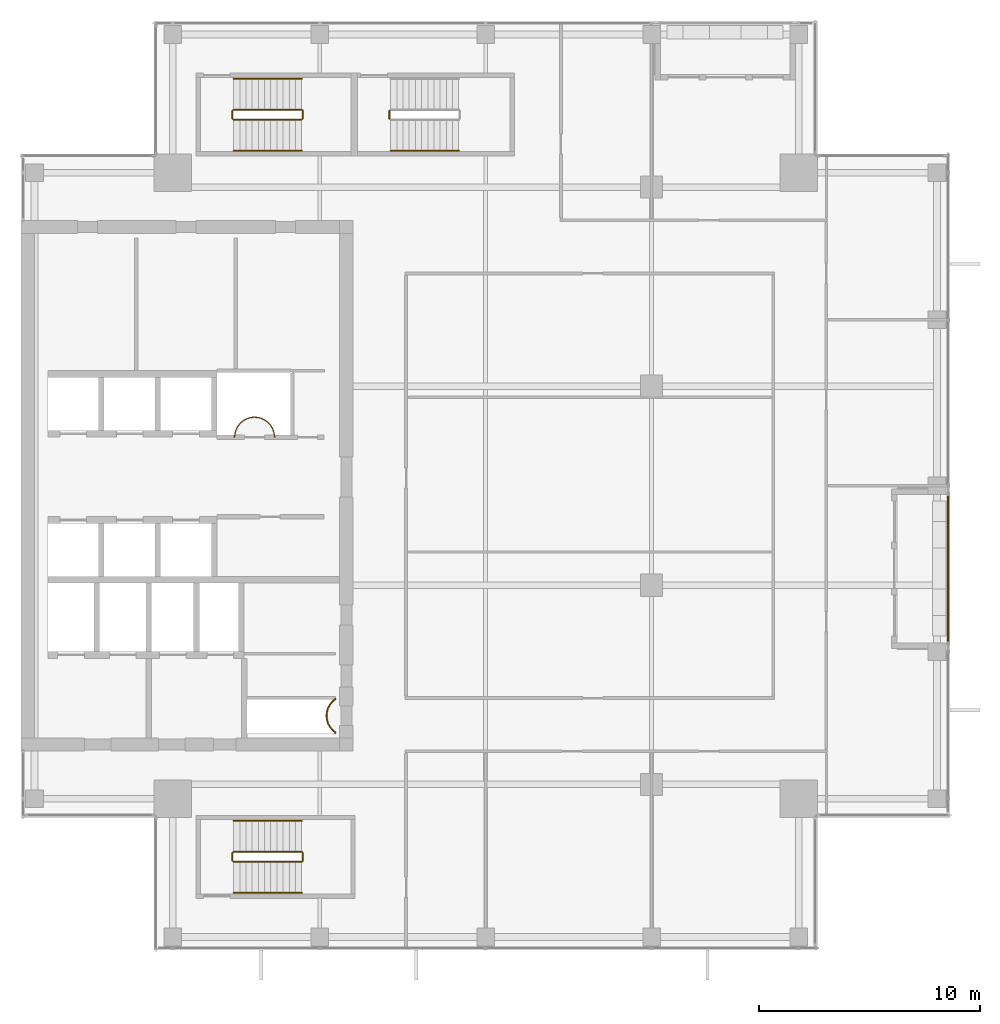
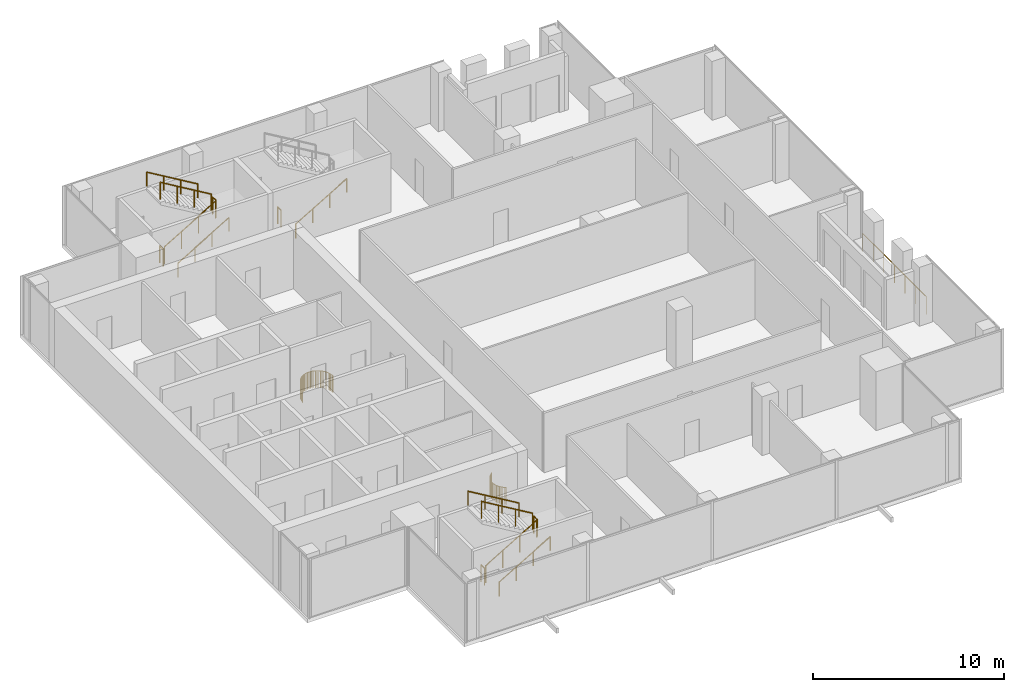
# One storey, part 27 of 29: 17 railings.
"""IFC4 building model written with IfcOpenShell, lengths in metres."""

from ifc_helpers import new_model, si_unit, direction, frame, origin, origin_2d, place, context, subcontext, project, spatial, circle, extrude, source, transform, mapped, material, type_object, element, save


model = new_model("IFC4")

# Units and contexts
model_context = context("Model", 3, precision=1e-05, world=origin(), true_north=direction((0.0, 1.0)))
body_context = subcontext(model_context, "Body", "Model", "MODEL_VIEW")
ifc_project = project(units=[si_unit("LENGTHUNIT", "METRE"), si_unit("AREAUNIT", "SQUARE_METRE"), si_unit("VOLUMEUNIT", "CUBIC_METRE"), si_unit("PLANEANGLEUNIT", "RADIAN"), si_unit("MASSUNIT", "GRAM", prefix="KILO")], contexts=[model_context])

# Site, building, storey
site_placement = place(None, origin())
site = spatial("IfcSite", under=ifc_project, at=site_placement, CompositionType="ELEMENT")
building_placement = place(site_placement, origin())
building = spatial("IfcBuilding", under=site, at=building_placement, Name="Khomas Fold Tower", CompositionType="ELEMENT")
storey_placement = place(building_placement, frame((0.0, 0.0, 290.199951171875)))
storey = spatial("IfcBuildingStorey", under=building, at=storey_placement, Name="L65", CompositionType="ELEMENT", Elevation=290.199951171875)

# Railings
ifc_material_1 = material(Name="Powder-coated steel", Category="steel")
railing_type_1 = type_object("IfcRailingType", Name="Balcony guard", PredefinedType="GUARDRAIL", material=ifc_material_1)
shared_shape_1 = source(origin(), body_context, "Body", "SweptSolid", [
    extrude(circle(Radius=0.02490234375, at=origin_2d()), frame((0.0, 0.0, 1.125), z_axis=(0.0, 1.0, 0.0), x_axis=(-1.0, 0.0, 0.0)), (0.0, 0.0, 1.0), 6.64013671875),
    extrude(circle(Radius=0.02001953125, at=origin_2d()), origin(), (0.0, 0.0, 1.0), 1.099853515625),
    extrude(circle(Radius=0.02001953125, at=origin_2d()), frame((0.0, 1.106689453125, 0.0)), (0.0, 0.0, 1.0), 1.099853515625),
    extrude(circle(Radius=0.02001953125, at=origin_2d()), frame((0.0, 2.21337890625, 0.0)), (0.0, 0.0, 1.0), 1.099853515625),
    extrude(circle(Radius=0.02001953125, at=origin_2d()), frame((0.0, 3.320068359375, 0.0)), (0.0, 0.0, 1.0), 1.099853515625),
    extrude(circle(Radius=0.02001953125, at=origin_2d()), frame((0.0, 4.4267578125, 0.0)), (0.0, 0.0, 1.0), 1.099853515625),
    extrude(circle(Radius=0.02001953125, at=origin_2d()), frame((0.0, 5.533447265625, 0.0)), (0.0, 0.0, 1.0), 1.099853515625),
    extrude(circle(Radius=0.02001953125, at=origin_2d()), frame((0.0, 6.64013671875, 0.0)), (0.0, 0.0, 1.0), 1.099853515625),
])
railing_1_placement = place(storey_placement, frame((47.89990234375, 19.929931640625, -0.044921875)))
element("IfcRailing", 1, at=railing_1_placement, inside=storey, type_object=railing_type_1, Name="Balcony guard BAL-L65-E2", PredefinedType="GUARDRAIL", context=body_context, shape_type="MappedRepresentation", body=[
    mapped(shared_shape_1, transform((0.0, 0.0, 0.0))),
])
ifc_material_2 = material(Name="Steel balustrade", Category="steel")
railing_type_2 = type_object("IfcRailingType", Name="Stair guard", PredefinedType="GUARDRAIL", material=ifc_material_2)
shared_shape_2 = source(origin(), body_context, "Body", "SweptSolid", [
    extrude(circle(Radius=0.02392578125, at=origin_2d()), frame((0.0, 0.0, 1.076171875), z_axis=(0.0, 1.0, 0.0), x_axis=(-1.0, 0.0, 0.0)), (0.0, 0.0, 1.0), 0.349853515625),
    extrude(circle(Radius=0.02099609375, at=origin_2d()), origin(), (0.0, 0.0, 1.0), 1.052001953125),
    extrude(circle(Radius=0.02099609375, at=origin_2d()), frame((0.0, 0.349853515625, 0.0)), (0.0, 0.0, 1.0), 1.052001953125),
])
for number, where, name in (
    (2, (18.72998046875, 43.60009765625, 2.0), "L65 ST1 stair guard 2"),
    (3, (15.550048828125, 43.60009765625, 0.0), "L65 ST1 stair guard 4"),
    (4, (18.72998046875, 10.050048828125, 2.0), "L65 ST2 stair guard 2"),
    (5, (15.550048828125, 10.050048828125, 0.0), "L65 ST2 stair guard 4"),
    (6, (22.64990234375, 43.60009765625, 0.0), "L65 ST3 stair guard 4"),
):
    element("IfcRailing", number, at=place(storey_placement, frame(where)), inside=storey, type_object=railing_type_2, Name=name, PredefinedType="GUARDRAIL", context=body_context, shape_type="MappedRepresentation", body=[
        mapped(shared_shape_2, transform((0.0, 0.0, 0.0))),
    ])
shared_shape_3 = source(origin(), body_context, "Body", "SweptSolid", [
    extrude(circle(Radius=0.02392578125, at=origin_2d()), frame((0.0, 0.0, 1.076171875), z_axis=(0.859290745958, 0.0, 0.51148745235), x_axis=(0.0, 1.0, 0.0)), (0.0, 0.0, 1.0), 3.584228515625),
    extrude(circle(Radius=0.02099609375, at=origin_2d()), origin(), (0.0, 0.0, 1.0), 1.052001953125),
    extrude(circle(Radius=0.02099609375, at=origin_2d()), frame((1.026611328125, 0.0, 0.611083984375)), (0.0, 0.0, 1.0), 1.052001953125),
    extrude(circle(Radius=0.02099609375, at=origin_2d()), frame((2.05322265625, 0.0, 1.22216796875)), (0.0, 0.0, 1.0), 1.052001953125),
    extrude(circle(Radius=0.02099609375, at=origin_2d()), frame((3.079833984375, 0.0, 1.833251953125)), (0.0, 0.0, 1.0), 1.052001953125),
])
for number, where, name in (
    (7, (15.60009765625, 43.550048828125, 0.166748046875), "L65 ST1 stair guard 1"),
    (8, (15.60009765625, 10.0, 0.166748046875), "L65 ST2 stair guard 1"),
):
    element("IfcRailing", number, at=place(storey_placement, frame(where)), inside=storey, type_object=railing_type_2, Name=name, PredefinedType="GUARDRAIL", context=body_context, shape_type="MappedRepresentation", body=[
        mapped(shared_shape_3, transform((0.0, 0.0, 0.0))),
    ])
shared_shape_4 = source(origin(), body_context, "Body", "SweptSolid", [
    extrude(circle(Radius=0.02392578125, at=origin_2d()), frame((0.0, 0.0, 1.076171875), z_axis=(-0.859290745958, 0.0, 0.51148745235), x_axis=(0.0, -1.0, 0.0)), (0.0, 0.0, 1.0), 3.584228515625),
    extrude(circle(Radius=0.02099609375, at=origin_2d()), origin(), (0.0, 0.0, 1.0), 1.052001953125),
    extrude(circle(Radius=0.02099609375, at=origin_2d()), frame((-1.026611328125, 0.0, 0.611083984375)), (0.0, 0.0, 1.0), 1.052001953125),
    extrude(circle(Radius=0.02099609375, at=origin_2d()), frame((-2.05322265625, 0.0, 1.22216796875)), (0.0, 0.0, 1.0), 1.052001953125),
    extrude(circle(Radius=0.02099609375, at=origin_2d()), frame((-3.079833984375, 0.0, 1.833251953125)), (0.0, 0.0, 1.0), 1.052001953125),
])
for number, where, name in (
    (9, (18.679931640625, 44.0, 2.166748046875), "L65 ST1 stair guard 3"),
    (10, (18.679931640625, 10.449951171875, 2.166748046875), "L65 ST2 stair guard 3"),
):
    element("IfcRailing", number, at=place(storey_placement, frame(where)), inside=storey, type_object=railing_type_2, Name=name, PredefinedType="GUARDRAIL", context=body_context, shape_type="MappedRepresentation", body=[
        mapped(shared_shape_4, transform((0.0, 0.0, 0.0))),
    ])
ifc_material_3 = material(Name="Steel handrail", Category="steel")
railing_type_3 = type_object("IfcRailingType", Name="Stair handrail", PredefinedType="HANDRAIL", material=ifc_material_3)
shared_shape_5 = source(origin(), body_context, "Body", "SweptSolid", [
    extrude(circle(Radius=0.02392578125, at=origin_2d()), frame((0.0, 0.0, 0.8759765625), z_axis=(0.859290745958, 0.0, 0.51148745235), x_axis=(0.0, 1.0, 0.0)), (0.0, 0.0, 1.0), 3.584228515625),
    extrude(circle(Radius=0.02099609375, at=origin_2d()), origin(), (0.0, 0.0, 1.0), 0.851806640625),
    extrude(circle(Radius=0.02099609375, at=origin_2d()), frame((1.026611328125, 0.0, 0.611083984375)), (0.0, 0.0, 1.0), 0.851806640625),
    extrude(circle(Radius=0.02099609375, at=origin_2d()), frame((2.05322265625, 0.0, 1.22216796875)), (0.0, 0.0, 1.0), 0.851806640625),
    extrude(circle(Radius=0.02099609375, at=origin_2d()), frame((3.079833984375, 0.0, 1.833251953125)), (0.0, 0.0, 1.0), 0.851806640625),
])
for number, where, name in (
    (11, (15.60009765625, 42.14990234375, 0.166748046875), "L65 ST1 stair handrail 1"),
    (12, (15.60009765625, 8.60009765625, 0.166748046875), "L65 ST2 stair handrail 1"),
):
    element("IfcRailing", number, at=place(storey_placement, frame(where)), inside=storey, type_object=railing_type_3, Name=name, PredefinedType="HANDRAIL", context=body_context, shape_type="MappedRepresentation", body=[
        mapped(shared_shape_5, transform((0.0, 0.0, 0.0))),
    ])
shared_shape_6 = source(origin(), body_context, "Body", "SweptSolid", [
    extrude(circle(Radius=0.02392578125, at=origin_2d()), frame((0.0, 0.0, 0.8759765625), z_axis=(-0.859290745958, 0.0, 0.51148745235), x_axis=(0.0, -1.0, 0.0)), (0.0, 0.0, 1.0), 3.584228515625),
    extrude(circle(Radius=0.02099609375, at=origin_2d()), origin(), (0.0, 0.0, 1.0), 0.851806640625),
    extrude(circle(Radius=0.02099609375, at=origin_2d()), frame((-1.026611328125, 0.0, 0.611083984375)), (0.0, 0.0, 1.0), 0.851806640625),
    extrude(circle(Radius=0.02099609375, at=origin_2d()), frame((-2.05322265625, 0.0, 1.22216796875)), (0.0, 0.0, 1.0), 0.851806640625),
    extrude(circle(Radius=0.02099609375, at=origin_2d()), frame((-3.079833984375, 0.0, 1.833251953125)), (0.0, 0.0, 1.0), 0.851806640625),
])
for number, where, name in (
    (13, (18.679931640625, 45.39990234375, 2.166748046875), "L65 ST1 stair handrail 2"),
    (14, (18.679931640625, 11.85009765625, 2.166748046875), "L65 ST2 stair handrail 2"),
):
    element("IfcRailing", number, at=place(storey_placement, frame(where)), inside=storey, type_object=railing_type_3, Name=name, PredefinedType="HANDRAIL", context=body_context, shape_type="MappedRepresentation", body=[
        mapped(shared_shape_6, transform((0.0, 0.0, 0.0))),
    ])
shared_shape_7 = source(origin(), body_context, "Body", "SweptSolid", [
    extrude(circle(Radius=0.02392578125, at=origin_2d()), frame((0.0, 0.0, 0.8759765625), z_axis=(0.859308565015, 0.0, 0.511457515432), x_axis=(0.0, 1.0, 0.0)), (0.0, 0.0, 1.0), 3.58447265625),
    extrude(circle(Radius=0.02099609375, at=origin_2d()), origin(), (0.0, 0.0, 1.0), 0.851806640625),
    extrude(circle(Radius=0.02099609375, at=origin_2d()), frame((1.026611328125, 0.0, 0.611083984375)), (0.0, 0.0, 1.0), 0.851806640625),
    extrude(circle(Radius=0.02099609375, at=origin_2d()), frame((2.053466796875, 0.0, 1.22216796875)), (0.0, 0.0, 1.0), 0.851806640625),
    extrude(circle(Radius=0.02099609375, at=origin_2d()), frame((3.080078125, 0.0, 1.833251953125)), (0.0, 0.0, 1.0), 0.851806640625),
])
railing_2_placement = place(storey_placement, frame((22.699951171875, 42.14990234375, 0.166748046875)))
element("IfcRailing", 15, at=railing_2_placement, inside=storey, type_object=railing_type_3, Name="L65 ST3 stair handrail 1", PredefinedType="HANDRAIL", context=body_context, shape_type="MappedRepresentation", body=[
    mapped(shared_shape_7, transform((0.0, 0.0, 0.0))),
])
ifc_material_4 = material(Name="Steel balustrade", Category="steel")
railing_type_4 = type_object("IfcRailingType", Name="Shaft guard", PredefinedType="GUARDRAIL", material=ifc_material_4)
shared_shape_8 = source(origin(), body_context, "Body", "SweptSolid", [
    extrude(circle(Radius=0.02490234375, at=origin_2d()), frame((0.0, 0.0, 1.0751953125), z_axis=(0.0, -1.0, 0.0), x_axis=(1.0, 0.0, 0.0)), (0.0, 0.0, 1.0), 0.034912109375),
    extrude(circle(Radius=0.02490234375, at=origin_2d()), frame((0.0, -0.034912109375, 1.0751953125), z_axis=(-0.802970227885, -0.596019138224, 0.0), x_axis=(0.596019138224, -0.802970227885, 0.0)), (0.0, 0.0, 1.0), 0.08837890625),
    extrude(circle(Radius=0.02490234375, at=origin_2d()), frame((-0.071044921875, -0.087646484375, 1.0751953125), z_axis=(-0.739563952942, -0.673086294251, 0.0), x_axis=(0.673086294251, -0.739563952942, 0.0)), (0.0, 0.0, 1.0), 0.088134765625),
    extrude(circle(Radius=0.02490234375, at=origin_2d()), frame((-0.13623046875, -0.14697265625, 1.0751953125), z_axis=(-0.671709119666, -0.740814996175, 0.0), x_axis=(0.740814996175, -0.671709119666, 0.0)), (0.0, 0.0, 1.0), 0.08837890625),
    extrude(circle(Radius=0.02490234375, at=origin_2d()), frame((-0.195556640625, -0.21240234375, 1.0751953125), z_axis=(-0.597341843489, -0.801986734315, 0.0), x_axis=(0.801986734315, -0.597341843489, 0.0)), (0.0, 0.0, 1.0), 0.08837890625),
    extrude(circle(Radius=0.02490234375, at=origin_2d()), frame((-0.248291015625, -0.283203125, 1.0751953125), z_axis=(-0.514495755428, -0.857492925713, 0.0), x_axis=(0.857492925713, -0.514495755428, 0.0)), (0.0, 0.0, 1.0), 0.08837890625),
    extrude(circle(Radius=0.02490234375, at=origin_2d()), frame((-0.293701171875, -0.35888671875, 1.0751953125), z_axis=(-0.427256721383, -0.904130352346, 0.0), x_axis=(0.904130352346, -0.427256721383, 0.0)), (0.0, 0.0, 1.0), 0.088623046875),
    extrude(circle(Radius=0.02490234375, at=origin_2d()), frame((-0.33154296875, -0.43896484375, 1.0751953125), z_axis=(-0.335282981086, -0.942117467514, 0.0), x_axis=(0.942117467514, -0.335282981086, 0.0)), (0.0, 0.0, 1.0), 0.088134765625),
    extrude(circle(Radius=0.02490234375, at=origin_2d()), frame((-0.361083984375, -0.52197265625, 1.0751953125), z_axis=(-0.243185799972, -0.969979724887, 0.0), x_axis=(0.969979724887, -0.243185799972, 0.0)), (0.0, 0.0, 1.0), 0.08837890625),
    extrude(circle(Radius=0.02490234375, at=origin_2d()), frame((-0.382568359375, -0.607666015625, 1.0751953125), z_axis=(-0.149150785005, -0.988814463553, 0.0), x_axis=(0.988814463553, -0.149150785005, 0.0)), (0.0, 0.0, 1.0), 0.08837890625),
    extrude(circle(Radius=0.02490234375, at=origin_2d()), frame((-0.395751953125, -0.695068359375, 1.0751953125), z_axis=(-0.047039284441, -0.99889304018, 0.0), x_axis=(0.99889304018, -0.047039284441, 0.0)), (0.0, 0.0, 1.0), 0.088134765625),
    extrude(circle(Radius=0.02490234375, at=origin_2d()), frame((-0.39990234375, -0.783203125, 1.0751953125), z_axis=(0.046909628002, -0.998899137451, 0.0), x_axis=(0.998899137451, 0.046909628002, 0.0)), (0.0, 0.0, 1.0), 0.08837890625),
    extrude(circle(Radius=0.02490234375, at=origin_2d()), frame((-0.395751953125, -0.87158203125, 1.0751953125), z_axis=(0.149150785005, -0.988814463553, 0.0), x_axis=(0.988814463553, 0.149150785005, 0.0)), (0.0, 0.0, 1.0), 0.08837890625),
    extrude(circle(Radius=0.02490234375, at=origin_2d()), frame((-0.382568359375, -0.958984375, 1.0751953125), z_axis=(0.243185799972, -0.969979724887, 0.0), x_axis=(0.969979724887, 0.243185799972, 0.0)), (0.0, 0.0, 1.0), 0.08837890625),
    extrude(circle(Radius=0.02490234375, at=origin_2d()), frame((-0.361083984375, -1.044677734375, 1.0751953125), z_axis=(0.335282981086, -0.942117467514, 0.0), x_axis=(0.942117467514, 0.335282981086, 0.0)), (0.0, 0.0, 1.0), 0.088134765625),
    extrude(circle(Radius=0.02490234375, at=origin_2d()), frame((-0.33154296875, -1.127685546875, 1.0751953125), z_axis=(0.428323905606, -0.903625271828, 0.0), x_axis=(0.903625271828, 0.428323905606, 0.0)), (0.0, 0.0, 1.0), 0.08837890625),
    extrude(circle(Radius=0.02490234375, at=origin_2d()), frame((-0.293701171875, -1.20751953125, 1.0751953125), z_axis=(0.514495755428, -0.857492925713, 0.0), x_axis=(0.857492925713, 0.514495755428, 0.0)), (0.0, 0.0, 1.0), 0.08837890625),
    extrude(circle(Radius=0.02490234375, at=origin_2d()), frame((-0.248291015625, -1.283203125, 1.0751953125), z_axis=(0.596019138224, -0.802970227885, 0.0), x_axis=(0.802970227885, 0.596019138224, 0.0)), (0.0, 0.0, 1.0), 0.08837890625),
    extrude(circle(Radius=0.02490234375, at=origin_2d()), frame((-0.195556640625, -1.354248046875, 1.0751953125), z_axis=(0.671709119666, -0.740814996175, 0.0), x_axis=(0.740814996175, 0.671709119666, 0.0)), (0.0, 0.0, 1.0), 0.08837890625),
    extrude(circle(Radius=0.02490234375, at=origin_2d()), frame((-0.13623046875, -1.419677734375, 1.0751953125), z_axis=(0.739563952942, -0.673086294251, 0.0), x_axis=(0.673086294251, 0.739563952942, 0.0)), (0.0, 0.0, 1.0), 0.088134765625),
    extrude(circle(Radius=0.02490234375, at=origin_2d()), frame((-0.071044921875, -1.47900390625, 1.0751953125), z_axis=(0.804291006819, -0.594235623595, 0.0), x_axis=(0.594235623595, 0.804291006819, 0.0)), (0.0, 0.0, 1.0), 0.08837890625),
    extrude(circle(Radius=0.02490234375, at=origin_2d()), frame((0.0, -1.531494140625, 1.0751953125), z_axis=(0.0, -1.0, 0.0), x_axis=(1.0, 0.0, 0.0)), (0.0, 0.0, 1.0), 0.03515625),
    extrude(circle(Radius=0.02001953125, at=origin_2d()), origin(), (0.0, 0.0, 1.0), 1.050048828125),
    extrude(circle(Radius=0.02001953125, at=origin_2d()), frame((0.0, -0.034912109375, 0.0)), (0.0, 0.0, 1.0), 1.050048828125),
    extrude(circle(Radius=0.02001953125, at=origin_2d()), frame((-0.071044921875, -0.087646484375, 0.0)), (0.0, 0.0, 1.0), 1.050048828125),
    extrude(circle(Radius=0.02001953125, at=origin_2d()), frame((-0.13623046875, -0.14697265625, 0.0)), (0.0, 0.0, 1.0), 1.050048828125),
    extrude(circle(Radius=0.02001953125, at=origin_2d()), frame((-0.195556640625, -0.21240234375, 0.0)), (0.0, 0.0, 1.0), 1.050048828125),
    extrude(circle(Radius=0.02001953125, at=origin_2d()), frame((-0.248291015625, -0.283203125, 0.0)), (0.0, 0.0, 1.0), 1.050048828125),
    extrude(circle(Radius=0.02001953125, at=origin_2d()), frame((-0.293701171875, -0.35888671875, 0.0)), (0.0, 0.0, 1.0), 1.050048828125),
    extrude(circle(Radius=0.02001953125, at=origin_2d()), frame((-0.33154296875, -0.43896484375, 0.0)), (0.0, 0.0, 1.0), 1.050048828125),
    extrude(circle(Radius=0.02001953125, at=origin_2d()), frame((-0.361083984375, -0.52197265625, 0.0)), (0.0, 0.0, 1.0), 1.050048828125),
    extrude(circle(Radius=0.02001953125, at=origin_2d()), frame((-0.382568359375, -0.607666015625, 0.0)), (0.0, 0.0, 1.0), 1.050048828125),
    extrude(circle(Radius=0.02001953125, at=origin_2d()), frame((-0.395751953125, -0.695068359375, 0.0)), (0.0, 0.0, 1.0), 1.050048828125),
    extrude(circle(Radius=0.02001953125, at=origin_2d()), frame((-0.39990234375, -0.783203125, 0.0)), (0.0, 0.0, 1.0), 1.050048828125),
    extrude(circle(Radius=0.02001953125, at=origin_2d()), frame((-0.395751953125, -0.87158203125, 0.0)), (0.0, 0.0, 1.0), 1.050048828125),
    extrude(circle(Radius=0.02001953125, at=origin_2d()), frame((-0.382568359375, -0.958984375, 0.0)), (0.0, 0.0, 1.0), 1.050048828125),
    extrude(circle(Radius=0.02001953125, at=origin_2d()), frame((-0.361083984375, -1.044677734375, 0.0)), (0.0, 0.0, 1.0), 1.050048828125),
    extrude(circle(Radius=0.02001953125, at=origin_2d()), frame((-0.33154296875, -1.127685546875, 0.0)), (0.0, 0.0, 1.0), 1.050048828125),
    extrude(circle(Radius=0.02001953125, at=origin_2d()), frame((-0.293701171875, -1.20751953125, 0.0)), (0.0, 0.0, 1.0), 1.050048828125),
    extrude(circle(Radius=0.02001953125, at=origin_2d()), frame((-0.248291015625, -1.283203125, 0.0)), (0.0, 0.0, 1.0), 1.050048828125),
    extrude(circle(Radius=0.02001953125, at=origin_2d()), frame((-0.195556640625, -1.354248046875, 0.0)), (0.0, 0.0, 1.0), 1.050048828125),
    extrude(circle(Radius=0.02001953125, at=origin_2d()), frame((-0.13623046875, -1.419677734375, 0.0)), (0.0, 0.0, 1.0), 1.050048828125),
    extrude(circle(Radius=0.02001953125, at=origin_2d()), frame((-0.071044921875, -1.47900390625, 0.0)), (0.0, 0.0, 1.0), 1.050048828125),
    extrude(circle(Radius=0.02001953125, at=origin_2d()), frame((0.0, -1.531494140625, 0.0)), (0.0, 0.0, 1.0), 1.050048828125),
    extrude(circle(Radius=0.02001953125, at=origin_2d()), frame((0.0, -1.566650390625, 0.0)), (0.0, 0.0, 1.0), 1.050048828125),
])
railing_3_placement = place(storey_placement, frame((20.199951171875, 17.38330078125, 0.0)))
element("IfcRailing", 16, at=railing_3_placement, inside=storey, type_object=railing_type_4, Name="Shaft guard L65 1", PredefinedType="GUARDRAIL", context=body_context, shape_type="MappedRepresentation", body=[
    mapped(shared_shape_8, transform((0.0, 0.0, 0.0))),
])
shared_shape_9 = source(origin(), body_context, "Body", "SweptSolid", [
    extrude(circle(Radius=0.02490234375, at=origin_2d()), frame((0.0, 0.0, 1.0751953125), z_axis=(-1.0, 0.0, 0.0), x_axis=(0.0, -1.0, 0.0)), (0.0, 0.0, 1.0), 0.030029296875),
    extrude(circle(Radius=0.02490234375, at=origin_2d()), frame((-0.030029296875, 0.0, 1.0751953125), z_axis=(-0.047039284441, 0.99889304018, 0.0), x_axis=(-0.99889304018, -0.047039284441, 0.0)), (0.0, 0.0, 1.0), 0.088134765625),
    extrude(circle(Radius=0.02490234375, at=origin_2d()), frame((-0.0341796875, 0.088134765625, 1.0751953125), z_axis=(-0.149150785005, 0.988814463553, 0.0), x_axis=(-0.988814463553, -0.149150785005, 0.0)), (0.0, 0.0, 1.0), 0.08837890625),
    extrude(circle(Radius=0.02490234375, at=origin_2d()), frame((-0.04736328125, 0.175537109375, 1.0751953125), z_axis=(-0.243185799972, 0.969979724887, 0.0), x_axis=(-0.969979724887, -0.243185799972, 0.0)), (0.0, 0.0, 1.0), 0.08837890625),
    extrude(circle(Radius=0.02490234375, at=origin_2d()), frame((-0.06884765625, 0.26123046875, 1.0751953125), z_axis=(-0.334409845171, 0.942427745481, 0.0), x_axis=(-0.942427745481, -0.334409845171, 0.0)), (0.0, 0.0, 1.0), 0.08837890625),
    extrude(circle(Radius=0.02490234375, at=origin_2d()), frame((-0.098388671875, 0.344482421875, 1.0751953125), z_axis=(-0.428323905606, 0.903625271828, 0.0), x_axis=(-0.903625271828, -0.428323905606, 0.0)), (0.0, 0.0, 1.0), 0.08837890625),
    extrude(circle(Radius=0.02490234375, at=origin_2d()), frame((-0.13623046875, 0.42431640625, 1.0751953125), z_axis=(-0.514495755428, 0.857492925713, 0.0), x_axis=(-0.857492925713, -0.514495755428, 0.0)), (0.0, 0.0, 1.0), 0.08837890625),
    extrude(circle(Radius=0.02490234375, at=origin_2d()), frame((-0.181640625, 0.5, 1.0751953125), z_axis=(-0.596019138224, 0.802970227885, 0.0), x_axis=(-0.802970227885, -0.596019138224, 0.0)), (0.0, 0.0, 1.0), 0.08837890625),
    extrude(circle(Radius=0.02490234375, at=origin_2d()), frame((-0.234375, 0.571044921875, 1.0751953125), z_axis=(-0.671709119666, 0.740814996175, 0.0), x_axis=(-0.740814996175, -0.671709119666, 0.0)), (0.0, 0.0, 1.0), 0.08837890625),
    extrude(circle(Radius=0.02490234375, at=origin_2d()), frame((-0.293701171875, 0.636474609375, 1.0751953125), z_axis=(-0.739563952942, 0.673086294251, 0.0), x_axis=(-0.673086294251, -0.739563952942, 0.0)), (0.0, 0.0, 1.0), 0.088134765625),
    extrude(circle(Radius=0.02490234375, at=origin_2d()), frame((-0.35888671875, 0.69580078125, 1.0751953125), z_axis=(-0.804291006819, 0.594235623595, 0.0), x_axis=(-0.594235623595, -0.804291006819, 0.0)), (0.0, 0.0, 1.0), 0.08837890625),
    extrude(circle(Radius=0.02490234375, at=origin_2d()), frame((-0.429931640625, 0.748291015625, 1.0751953125), z_axis=(-0.857492925713, 0.514495755428, 0.0), x_axis=(-0.514495755428, -0.857492925713, 0.0)), (0.0, 0.0, 1.0), 0.08837890625),
    extrude(circle(Radius=0.02490234375, at=origin_2d()), frame((-0.505615234375, 0.793701171875, 1.0751953125), z_axis=(-0.904130352346, 0.427256721383, 0.0), x_axis=(-0.427256721383, -0.904130352346, 0.0)), (0.0, 0.0, 1.0), 0.088623046875),
    extrude(circle(Radius=0.02490234375, at=origin_2d()), frame((-0.585693359375, 0.83154296875, 1.0751953125), z_axis=(-0.941239807302, 0.337738989679, 0.0), x_axis=(-0.337738989679, -0.941239807302, 0.0)), (0.0, 0.0, 1.0), 0.088134765625),
    extrude(circle(Radius=0.02490234375, at=origin_2d()), frame((-0.668701171875, 0.861328125, 1.0751953125), z_axis=(-0.969979724887, 0.243185799972, 0.0), x_axis=(-0.243185799972, -0.969979724887, 0.0)), (0.0, 0.0, 1.0), 0.08837890625),
    extrude(circle(Radius=0.02490234375, at=origin_2d()), frame((-0.75439453125, 0.8828125, 1.0751953125), z_axis=(-0.989218293148, 0.146448518259, 0.0), x_axis=(-0.146448518259, -0.989218293148, 0.0)), (0.0, 0.0, 1.0), 0.08837890625),
    extrude(circle(Radius=0.02490234375, at=origin_2d()), frame((-0.841796875, 0.895751953125, 1.0751953125), z_axis=(-0.998759228712, 0.049799629132, 0.0), x_axis=(-0.049799629132, -0.998759228712, 0.0)), (0.0, 0.0, 1.0), 0.088134765625),
    extrude(circle(Radius=0.02490234375, at=origin_2d()), frame((-0.929931640625, 0.900146484375, 1.0751953125), z_axis=(-0.998759228712, -0.049799629132, 0.0), x_axis=(0.049799629132, -0.998759228712, 0.0)), (0.0, 0.0, 1.0), 0.088134765625),
    extrude(circle(Radius=0.02490234375, at=origin_2d()), frame((-1.01806640625, 0.895751953125, 1.0751953125), z_axis=(-0.989218293148, -0.146448518259, 0.0), x_axis=(0.146448518259, -0.989218293148, 0.0)), (0.0, 0.0, 1.0), 0.08837890625),
    extrude(circle(Radius=0.02490234375, at=origin_2d()), frame((-1.10546875, 0.8828125, 1.0751953125), z_axis=(-0.969979724887, -0.243185799972, 0.0), x_axis=(0.243185799972, -0.969979724887, 0.0)), (0.0, 0.0, 1.0), 0.08837890625),
    extrude(circle(Radius=0.02490234375, at=origin_2d()), frame((-1.191162109375, 0.861328125, 1.0751953125), z_axis=(-0.941554356589, -0.336861089454, 0.0), x_axis=(0.336861089454, -0.941554356589, 0.0)), (0.0, 0.0, 1.0), 0.08837890625),
    extrude(circle(Radius=0.02490234375, at=origin_2d()), frame((-1.2744140625, 0.83154296875, 1.0751953125), z_axis=(-0.903625271828, -0.428323905606, 0.0), x_axis=(0.428323905606, -0.903625271828, 0.0)), (0.0, 0.0, 1.0), 0.08837890625),
    extrude(circle(Radius=0.02490234375, at=origin_2d()), frame((-1.354248046875, 0.793701171875, 1.0751953125), z_axis=(-0.857492925713, -0.514495755428, 0.0), x_axis=(0.514495755428, -0.857492925713, 0.0)), (0.0, 0.0, 1.0), 0.08837890625),
    extrude(circle(Radius=0.02490234375, at=origin_2d()), frame((-1.429931640625, 0.748291015625, 1.0751953125), z_axis=(-0.804291006819, -0.594235623595, 0.0), x_axis=(0.594235623595, -0.804291006819, 0.0)), (0.0, 0.0, 1.0), 0.08837890625),
    extrude(circle(Radius=0.02490234375, at=origin_2d()), frame((-1.5009765625, 0.69580078125, 1.0751953125), z_axis=(-0.740814996175, -0.671709119666, 0.0), x_axis=(0.671709119666, -0.740814996175, 0.0)), (0.0, 0.0, 1.0), 0.08837890625),
    extrude(circle(Radius=0.02490234375, at=origin_2d()), frame((-1.56640625, 0.636474609375, 1.0751953125), z_axis=(-0.671709119666, -0.740814996175, 0.0), x_axis=(0.740814996175, -0.671709119666, 0.0)), (0.0, 0.0, 1.0), 0.08837890625),
    extrude(circle(Radius=0.02490234375, at=origin_2d()), frame((-1.625732421875, 0.571044921875, 1.0751953125), z_axis=(-0.594235623595, -0.804291006819, 0.0), x_axis=(0.804291006819, -0.594235623595, 0.0)), (0.0, 0.0, 1.0), 0.08837890625),
    extrude(circle(Radius=0.02490234375, at=origin_2d()), frame((-1.67822265625, 0.5, 1.0751953125), z_axis=(-0.514495755428, -0.857492925713, 0.0), x_axis=(0.857492925713, -0.514495755428, 0.0)), (0.0, 0.0, 1.0), 0.08837890625),
    extrude(circle(Radius=0.02490234375, at=origin_2d()), frame((-1.7236328125, 0.42431640625, 1.0751953125), z_axis=(-0.428323905606, -0.903625271828, 0.0), x_axis=(0.903625271828, -0.428323905606, 0.0)), (0.0, 0.0, 1.0), 0.08837890625),
    extrude(circle(Radius=0.02490234375, at=origin_2d()), frame((-1.761474609375, 0.344482421875, 1.0751953125), z_axis=(-0.336861089454, -0.941554356589, 0.0), x_axis=(0.941554356589, -0.336861089454, 0.0)), (0.0, 0.0, 1.0), 0.08837890625),
    extrude(circle(Radius=0.02490234375, at=origin_2d()), frame((-1.791259765625, 0.26123046875, 1.0751953125), z_axis=(-0.243185799972, -0.969979724887, 0.0), x_axis=(0.969979724887, -0.243185799972, 0.0)), (0.0, 0.0, 1.0), 0.08837890625),
    extrude(circle(Radius=0.02490234375, at=origin_2d()), frame((-1.812744140625, 0.175537109375, 1.0751953125), z_axis=(-0.146448518259, -0.989218293148, 0.0), x_axis=(0.989218293148, -0.146448518259, 0.0)), (0.0, 0.0, 1.0), 0.08837890625),
    extrude(circle(Radius=0.02490234375, at=origin_2d()), frame((-1.82568359375, 0.088134765625, 1.0751953125), z_axis=(-0.049799629132, -0.998759228712, 0.0), x_axis=(0.998759228712, -0.049799629132, 0.0)), (0.0, 0.0, 1.0), 0.088134765625),
    extrude(circle(Radius=0.02490234375, at=origin_2d()), frame((-1.830078125, 0.0, 1.0751953125), z_axis=(-1.0, 0.0, 0.0), x_axis=(0.0, -1.0, 0.0)), (0.0, 0.0, 1.0), 0.02978515625),
    extrude(circle(Radius=0.02001953125, at=origin_2d()), origin(), (0.0, 0.0, 1.0), 1.050048828125),
    extrude(circle(Radius=0.02001953125, at=origin_2d()), frame((-0.030029296875, 0.0, 0.0)), (0.0, 0.0, 1.0), 1.050048828125),
    extrude(circle(Radius=0.02001953125, at=origin_2d()), frame((-0.0341796875, 0.088134765625, 0.0)), (0.0, 0.0, 1.0), 1.050048828125),
    extrude(circle(Radius=0.02001953125, at=origin_2d()), frame((-0.04736328125, 0.175537109375, 0.0)), (0.0, 0.0, 1.0), 1.050048828125),
    extrude(circle(Radius=0.02001953125, at=origin_2d()), frame((-0.06884765625, 0.26123046875, 0.0)), (0.0, 0.0, 1.0), 1.050048828125),
    extrude(circle(Radius=0.02001953125, at=origin_2d()), frame((-0.098388671875, 0.344482421875, 0.0)), (0.0, 0.0, 1.0), 1.050048828125),
    extrude(circle(Radius=0.02001953125, at=origin_2d()), frame((-0.13623046875, 0.42431640625, 0.0)), (0.0, 0.0, 1.0), 1.050048828125),
    extrude(circle(Radius=0.02001953125, at=origin_2d()), frame((-0.181640625, 0.5, 0.0)), (0.0, 0.0, 1.0), 1.050048828125),
    extrude(circle(Radius=0.02001953125, at=origin_2d()), frame((-0.234375, 0.571044921875, 0.0)), (0.0, 0.0, 1.0), 1.050048828125),
    extrude(circle(Radius=0.02001953125, at=origin_2d()), frame((-0.293701171875, 0.636474609375, 0.0)), (0.0, 0.0, 1.0), 1.050048828125),
    extrude(circle(Radius=0.02001953125, at=origin_2d()), frame((-0.35888671875, 0.69580078125, 0.0)), (0.0, 0.0, 1.0), 1.050048828125),
    extrude(circle(Radius=0.02001953125, at=origin_2d()), frame((-0.429931640625, 0.748291015625, 0.0)), (0.0, 0.0, 1.0), 1.050048828125),
    extrude(circle(Radius=0.02001953125, at=origin_2d()), frame((-0.505615234375, 0.793701171875, 0.0)), (0.0, 0.0, 1.0), 1.050048828125),
    extrude(circle(Radius=0.02001953125, at=origin_2d()), frame((-0.585693359375, 0.83154296875, 0.0)), (0.0, 0.0, 1.0), 1.050048828125),
    extrude(circle(Radius=0.02001953125, at=origin_2d()), frame((-0.668701171875, 0.861328125, 0.0)), (0.0, 0.0, 1.0), 1.050048828125),
    extrude(circle(Radius=0.02001953125, at=origin_2d()), frame((-0.75439453125, 0.8828125, 0.0)), (0.0, 0.0, 1.0), 1.050048828125),
    extrude(circle(Radius=0.02001953125, at=origin_2d()), frame((-0.841796875, 0.895751953125, 0.0)), (0.0, 0.0, 1.0), 1.050048828125),
    extrude(circle(Radius=0.02001953125, at=origin_2d()), frame((-0.929931640625, 0.900146484375, 0.0)), (0.0, 0.0, 1.0), 1.050048828125),
    extrude(circle(Radius=0.02001953125, at=origin_2d()), frame((-1.01806640625, 0.895751953125, 0.0)), (0.0, 0.0, 1.0), 1.050048828125),
    extrude(circle(Radius=0.02001953125, at=origin_2d()), frame((-1.10546875, 0.8828125, 0.0)), (0.0, 0.0, 1.0), 1.050048828125),
    extrude(circle(Radius=0.02001953125, at=origin_2d()), frame((-1.191162109375, 0.861328125, 0.0)), (0.0, 0.0, 1.0), 1.050048828125),
    extrude(circle(Radius=0.02001953125, at=origin_2d()), frame((-1.2744140625, 0.83154296875, 0.0)), (0.0, 0.0, 1.0), 1.050048828125),
    extrude(circle(Radius=0.02001953125, at=origin_2d()), frame((-1.354248046875, 0.793701171875, 0.0)), (0.0, 0.0, 1.0), 1.050048828125),
    extrude(circle(Radius=0.02001953125, at=origin_2d()), frame((-1.429931640625, 0.748291015625, 0.0)), (0.0, 0.0, 1.0), 1.050048828125),
    extrude(circle(Radius=0.02001953125, at=origin_2d()), frame((-1.5009765625, 0.69580078125, 0.0)), (0.0, 0.0, 1.0), 1.050048828125),
    extrude(circle(Radius=0.02001953125, at=origin_2d()), frame((-1.56640625, 0.636474609375, 0.0)), (0.0, 0.0, 1.0), 1.050048828125),
    extrude(circle(Radius=0.02001953125, at=origin_2d()), frame((-1.625732421875, 0.571044921875, 0.0)), (0.0, 0.0, 1.0), 1.050048828125),
    extrude(circle(Radius=0.02001953125, at=origin_2d()), frame((-1.67822265625, 0.5, 0.0)), (0.0, 0.0, 1.0), 1.050048828125),
    extrude(circle(Radius=0.02001953125, at=origin_2d()), frame((-1.7236328125, 0.42431640625, 0.0)), (0.0, 0.0, 1.0), 1.050048828125),
    extrude(circle(Radius=0.02001953125, at=origin_2d()), frame((-1.761474609375, 0.344482421875, 0.0)), (0.0, 0.0, 1.0), 1.050048828125),
    extrude(circle(Radius=0.02001953125, at=origin_2d()), frame((-1.791259765625, 0.26123046875, 0.0)), (0.0, 0.0, 1.0), 1.050048828125),
    extrude(circle(Radius=0.02001953125, at=origin_2d()), frame((-1.812744140625, 0.175537109375, 0.0)), (0.0, 0.0, 1.0), 1.050048828125),
    extrude(circle(Radius=0.02001953125, at=origin_2d()), frame((-1.82568359375, 0.088134765625, 0.0)), (0.0, 0.0, 1.0), 1.050048828125),
    extrude(circle(Radius=0.02001953125, at=origin_2d()), frame((-1.830078125, 0.0, 0.0)), (0.0, 0.0, 1.0), 1.050048828125),
    extrude(circle(Radius=0.02001953125, at=origin_2d()), frame((-1.85986328125, 0.0, 0.0)), (0.0, 0.0, 1.0), 1.050048828125),
])
railing_4_placement = place(storey_placement, frame((17.47998046875, 29.199951171875, 0.0)))
element("IfcRailing", 17, at=railing_4_placement, inside=storey, type_object=railing_type_4, Name="Shaft guard L65 2", PredefinedType="GUARDRAIL", context=body_context, shape_type="MappedRepresentation", body=[
    mapped(shared_shape_9, transform((0.0, 0.0, 0.0))),
])

save(model, "model.ifc")
